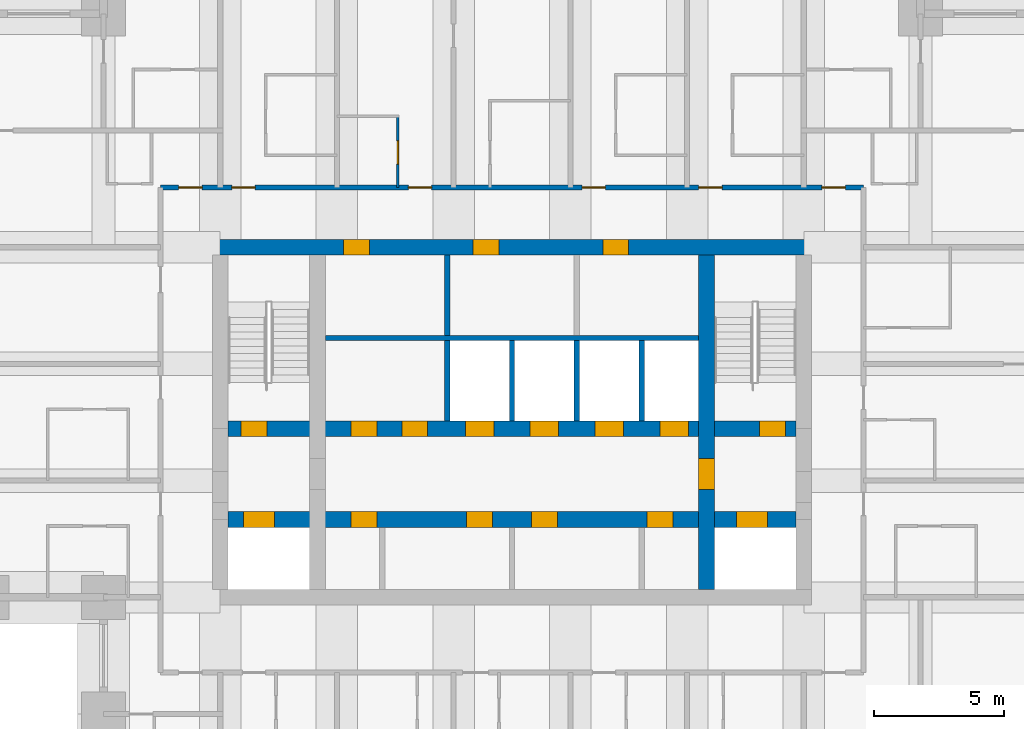
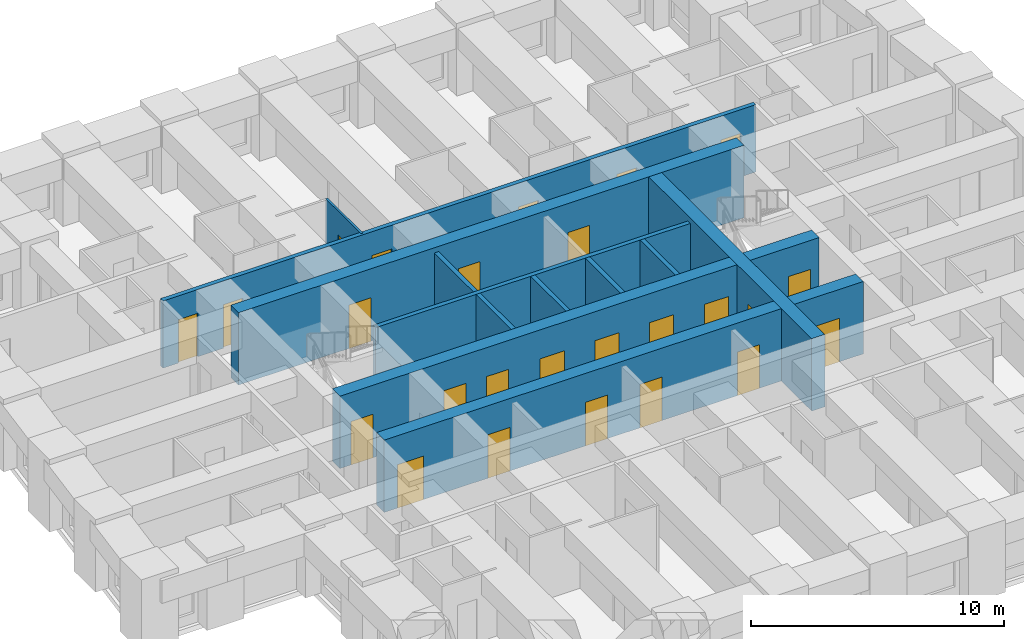
# One storey, part 4 of 8: 25 doors, 12 walls, 25 openings.
"""IFC4 building model written with IfcOpenShell, lengths in metres."""

from ifc_helpers import new_model, si_unit, direction, frame, frame_2d, origin, place, context, subcontext, project, spatial, rectangle, extrude, material, layer, layer_set, type_object, element, fill, save


model = new_model("IFC4")

# Units and contexts
model_context = context("Model", 3, precision=1e-05, world=origin(), true_north=direction((0.0, 1.0)))
body_context = subcontext(model_context, "Body", "Model", "MODEL_VIEW")
ifc_project = project(units=[si_unit("LENGTHUNIT", "METRE"), si_unit("AREAUNIT", "SQUARE_METRE"), si_unit("VOLUMEUNIT", "CUBIC_METRE"), si_unit("PLANEANGLEUNIT", "RADIAN"), si_unit("MASSUNIT", "GRAM", prefix="KILO")], contexts=[model_context])

# Site, building, storey
site_placement = place(None, origin())
site = spatial("IfcSite", under=ifc_project, at=site_placement, CompositionType="ELEMENT")
building_placement = place(site_placement, origin())
building = spatial("IfcBuilding", under=site, at=building_placement, Name="Kilele Tower Hotel", CompositionType="ELEMENT")
storey_placement = place(building_placement, frame((0.0, 0.0, 165.89990234375)))
storey = spatial("IfcBuildingStorey", under=building, at=storey_placement, Name="L42", CompositionType="ELEMENT", Elevation=165.89990234375)

# Wall, opening, door
ifc_material_1 = material(Name="Moisture-resistant board")
ifc_layer_1 = layer(ifc_material_1, 0.10009765625)
ifc_layer_set_1 = layer_set([ifc_layer_1], Name="Moisture-resistant board")
wall_type_1 = type_object("IfcWallType", Name="Bathroom partition 100", PredefinedType="PLUMBINGWALL", material=ifc_layer_set_1)
wall_1_placement = place(storey_placement, frame((20.35009765625, 29.300048828125, 0.0), z_axis=(0.0, 0.0, 1.0), x_axis=(0.0, 1.0, 0.0)))
wall_1 = element("IfcWall", 1, at=wall_1_placement, inside=storey, type_object=wall_type_1, Name="Bathroom partition 100 L42", PredefinedType="PLUMBINGWALL", context=body_context, shape_type="SweptSolid", body=[
    extrude(rectangle(XDim=2.800048828125, YDim=0.10009765625, at=frame_2d((1.39990234375, 0.0))), origin(), (0.0, 0.0, 1.0), 3.25),
])
opening_1_placement = place(wall_1_placement, frame((1.7998046875, 0.0, 0.0), z_axis=(0.0, 0.0, 1.0), x_axis=(-1.0, 0.0, 0.0)))
opening_1 = element("IfcOpeningElement", 2, at=opening_1_placement, cuts=wall_1, Name="Opening D2A", PredefinedType="OPENING", context=body_context, shape_type="SweptSolid", body=[
    extrude(rectangle(XDim=0.89990234375, YDim=2.10009765625, at=frame_2d((0.449951171875, 1.050048828125))), frame((0.0, 0.06005859375, 0.0), z_axis=(0.0, -1.0, 0.0), x_axis=(1.0, 0.0, 0.0)), (0.0, 0.0, 1.0), 0.1201171875),
])
ifc_material_2 = material(Name="Timber door leaf in hardwood frame", Category="wood")
door_type_1 = type_object("IfcDoorType", Name="Bathroom door 900", OperationType="SINGLE_SWING_LEFT", PredefinedType="DOOR", material=ifc_material_2)
door_1_placement = place(opening_1_placement, origin())
door_1 = element("IfcDoor", 3, at=door_1_placement, inside=storey, type_object=door_type_1, Name="Bathroom door 4210B", OperationType="SINGLE_SWING_RIGHT", OverallHeight=2.10009765625, OverallWidth=0.89990234375, PredefinedType="DOOR", context=body_context, shape_type="SweptSolid", body=[
    extrude(rectangle(XDim=0.89990234375, YDim=2.10009765625, at=frame_2d((0.449951171875, 1.050048828125))), frame((0.0, 0.02490234375, 0.0), z_axis=(0.0, -1.0, 0.0), x_axis=(1.0, 0.0, 0.0)), (0.0, 0.0, 1.0), 0.050048828125),
])
fill(opening_1, door_1)

# Wall, openings, doors
ifc_material_3 = material(Name="Concrete C70/85", Category="concrete")
ifc_layer_2 = layer(ifc_material_3, 0.60009765625)
ifc_layer_set_2 = layer_set([ifc_layer_2], Name="Concrete C70/85")
wall_type_2 = type_object("IfcWallType", Name="Core wall 600 C70/85", PredefinedType="SHEAR", material=ifc_layer_set_2)
wall_2_placement = place(storey_placement, frame((36.300048828125, 27.0, 0.0), z_axis=(0.0, 0.0, 1.0), x_axis=(-1.0, 0.0, 0.0)))
wall_2 = element("IfcWall", 4, at=wall_2_placement, inside=storey, type_object=wall_type_2, Name="Core wall N L42", PredefinedType="SHEAR", context=body_context, shape_type="SweptSolid", body=[
    extrude(rectangle(XDim=23.10009765625, YDim=0.60009765625, at=frame_2d((11.550048828125, 0.0))), origin(), (0.0, 0.0, 1.0), 3.5),
])
opening_2_placement = place(wall_2_placement, frame((17.050048828125, 0.0, 0.0)))
opening_2 = element("IfcOpeningElement", 5, at=opening_2_placement, cuts=wall_2, Name="Opening D6", PredefinedType="OPENING", context=body_context, shape_type="SweptSolid", body=[
    extrude(rectangle(XDim=1.0, YDim=2.10009765625, at=frame_2d((0.5, 1.050048828125))), frame((0.0, 0.31005859375, 0.0), z_axis=(0.0, -1.0, 0.0), x_axis=(1.0, 0.0, 0.0)), (0.0, 0.0, 1.0), 0.6201171875),
])
opening_3_placement = place(wall_2_placement, frame((12.050048828125, 0.0, 0.0)))
opening_3 = element("IfcOpeningElement", 6, at=opening_3_placement, cuts=wall_2, Name="Opening D6", PredefinedType="OPENING", context=body_context, shape_type="SweptSolid", body=[
    extrude(rectangle(XDim=1.0, YDim=2.10009765625, at=frame_2d((0.5, 1.050048828125))), frame((0.0, 0.31005859375, 0.0), z_axis=(0.0, -1.0, 0.0), x_axis=(1.0, 0.0, 0.0)), (0.0, 0.0, 1.0), 0.6201171875),
])
opening_4_placement = place(wall_2_placement, frame((7.050048828125, 0.0, 0.0)))
opening_4 = element("IfcOpeningElement", 7, at=opening_4_placement, cuts=wall_2, Name="Opening D6", PredefinedType="OPENING", context=body_context, shape_type="SweptSolid", body=[
    extrude(rectangle(XDim=1.0, YDim=2.10009765625, at=frame_2d((0.5, 1.050048828125))), frame((0.0, 0.31005859375, 0.0), z_axis=(0.0, -1.0, 0.0), x_axis=(1.0, 0.0, 0.0)), (0.0, 0.0, 1.0), 0.6201171875),
])
ifc_material_4 = material(Name="Timber door leaf in hardwood frame", Category="wood")
door_type_2 = type_object("IfcDoorType", Name="Riser door 1000", OperationType="SINGLE_SWING_LEFT", PredefinedType="DOOR", material=ifc_material_4)
door_2_placement = place(opening_2_placement, origin())
door_2 = element("IfcDoor", 8, at=door_2_placement, inside=storey, type_object=door_type_2, Name="Service riser door L42", OperationType="SINGLE_SWING_RIGHT", OverallHeight=2.10009765625, OverallWidth=1.0, PredefinedType="DOOR", context=body_context, shape_type="SweptSolid", body=[
    extrude(rectangle(XDim=1.0, YDim=2.10009765625, at=frame_2d((0.5, 1.050048828125))), frame((0.0, 0.2998046875, 0.0), z_axis=(0.0, -1.0, 0.0), x_axis=(1.0, 0.0, 0.0)), (0.0, 0.0, 1.0), 0.599609375),
])
fill(opening_2, door_2)
door_3_placement = place(opening_3_placement, origin())
door_3 = element("IfcDoor", 9, at=door_3_placement, inside=storey, type_object=door_type_2, Name="Staff WC door L42", OperationType="SINGLE_SWING_RIGHT", OverallHeight=2.10009765625, OverallWidth=1.0, PredefinedType="DOOR", context=body_context, shape_type="SweptSolid", body=[
    extrude(rectangle(XDim=1.0, YDim=2.10009765625, at=frame_2d((0.5, 1.050048828125))), frame((0.0, 0.2998046875, 0.0), z_axis=(0.0, -1.0, 0.0), x_axis=(1.0, 0.0, 0.0)), (0.0, 0.0, 1.0), 0.599609375),
])
fill(opening_3, door_3)
door_4_placement = place(opening_4_placement, origin())
door_4 = element("IfcDoor", 10, at=door_4_placement, inside=storey, type_object=door_type_2, Name="Electrical riser door L42", OperationType="SINGLE_SWING_RIGHT", OverallHeight=2.10009765625, OverallWidth=1.0, PredefinedType="DOOR", context=body_context, shape_type="SweptSolid", body=[
    extrude(rectangle(XDim=1.0, YDim=2.10009765625, at=frame_2d((0.5, 1.050048828125))), frame((0.0, 0.2998046875, 0.0), z_axis=(0.0, -1.0, 0.0), x_axis=(1.0, 0.0, 0.0)), (0.0, 0.0, 1.0), 0.599609375),
])
fill(opening_4, door_4)

# Wall, opening, door
wall_3_placement = place(storey_placement, frame((32.25, 13.800048828125, 0.0), z_axis=(0.0, 0.0, 1.0), x_axis=(0.0, 1.0, 0.0)))
wall_3 = element("IfcWall", 11, at=wall_3_placement, inside=storey, type_object=wall_type_2, Name="Core wall IE L42", PredefinedType="SHEAR", context=body_context, shape_type="SweptSolid", body=[
    extrude(rectangle(XDim=12.89990234375, YDim=0.60009765625, at=frame_2d((6.449951171875, 0.0))), origin(), (0.0, 0.0, 1.0), 3.5),
])
opening_5_placement = place(wall_3_placement, frame((5.050048828125, 0.0, 0.0), z_axis=(0.0, 0.0, 1.0), x_axis=(-1.0, 0.0, 0.0)))
opening_5 = element("IfcOpeningElement", 12, at=opening_5_placement, cuts=wall_3, Name="Opening D4", PredefinedType="OPENING", context=body_context, shape_type="SweptSolid", body=[
    extrude(rectangle(XDim=1.199951171875, YDim=2.10009765625, at=frame_2d((0.60009765625, 1.050048828125))), frame((0.0, 0.31005859375, 0.0), z_axis=(0.0, -1.0, 0.0), x_axis=(1.0, 0.0, 0.0)), (0.0, 0.0, 1.0), 0.6201171875),
])
ifc_material_5 = material(Name="Timber door leaf in hardwood frame", Category="wood")
door_type_3 = type_object("IfcDoorType", Name="Firefighting lobby door 1200", OperationType="SINGLE_SWING_LEFT", PredefinedType="DOOR", material=ifc_material_5)
door_5_placement = place(opening_5_placement, origin())
door_5 = element("IfcDoor", 13, at=door_5_placement, inside=storey, type_object=door_type_3, Name="Lobby door L42", OperationType="SINGLE_SWING_RIGHT", OverallHeight=2.10009765625, OverallWidth=1.199951171875, PredefinedType="DOOR", context=body_context, shape_type="SweptSolid", body=[
    extrude(rectangle(XDim=1.199951171875, YDim=2.10009765625, at=frame_2d((0.60009765625, 1.050048828125))), frame((0.0, 0.2998046875, 0.0), z_axis=(0.0, -1.0, 0.0), x_axis=(1.0, 0.0, 0.0)), (0.0, 0.0, 1.0), 0.599609375),
])
fill(opening_5, door_5)

# Wall, openings, doors
wall_4_placement = place(storey_placement, frame((13.800048828125, 16.5, 0.0), z_axis=(0.0, 0.0, 1.0), x_axis=(1.0, 0.0, 0.0)))
wall_4 = element("IfcWall", 14, at=wall_4_placement, inside=storey, type_object=wall_type_2, Name="Core wall LS L42", PredefinedType="SHEAR", context=body_context, shape_type="SweptSolid", body=[
    extrude(rectangle(XDim=21.89990234375, YDim=0.60009765625, at=frame_2d((10.949951171875, 0.0))), origin(), (0.0, 0.0, 1.0), 3.5),
])
opening_6_placement = place(wall_4_placement, frame((5.75, 0.0, 0.0), z_axis=(0.0, 0.0, 1.0), x_axis=(-1.0, 0.0, 0.0)))
opening_6 = element("IfcOpeningElement", 15, at=opening_6_placement, cuts=wall_4, Name="Opening D11", PredefinedType="OPENING", context=body_context, shape_type="SweptSolid", body=[
    extrude(rectangle(XDim=1.0, YDim=2.10009765625, at=frame_2d((0.5, 1.050048828125))), frame((0.0, 0.31005859375, 0.0), z_axis=(0.0, -1.0, 0.0), x_axis=(1.0, 0.0, 0.0)), (0.0, 0.0, 1.0), 0.6201171875),
])
opening_7_placement = place(wall_4_placement, frame((10.199951171875, 0.0, 0.0), z_axis=(0.0, 0.0, 1.0), x_axis=(-1.0, 0.0, 0.0)))
opening_7 = element("IfcOpeningElement", 16, at=opening_7_placement, cuts=wall_4, Name="Opening D11", PredefinedType="OPENING", context=body_context, shape_type="SweptSolid", body=[
    extrude(rectangle(XDim=1.0, YDim=2.10009765625, at=frame_2d((0.5, 1.050048828125))), frame((0.0, 0.31005859375, 0.0), z_axis=(0.0, -1.0, 0.0), x_axis=(1.0, 0.0, 0.0)), (0.0, 0.0, 1.0), 0.6201171875),
])
opening_8_placement = place(wall_4_placement, frame((12.699951171875, 0.0, 0.0), z_axis=(0.0, 0.0, 1.0), x_axis=(-1.0, 0.0, 0.0)))
opening_8 = element("IfcOpeningElement", 17, at=opening_8_placement, cuts=wall_4, Name="Opening D11", PredefinedType="OPENING", context=body_context, shape_type="SweptSolid", body=[
    extrude(rectangle(XDim=1.0, YDim=2.10009765625, at=frame_2d((0.5, 1.050048828125))), frame((0.0, 0.31005859375, 0.0), z_axis=(0.0, -1.0, 0.0), x_axis=(1.0, 0.0, 0.0)), (0.0, 0.0, 1.0), 0.6201171875),
])
opening_9_placement = place(wall_4_placement, frame((17.14990234375, 0.0, 0.0), z_axis=(0.0, 0.0, 1.0), x_axis=(-1.0, 0.0, 0.0)))
opening_9 = element("IfcOpeningElement", 18, at=opening_9_placement, cuts=wall_4, Name="Opening D11", PredefinedType="OPENING", context=body_context, shape_type="SweptSolid", body=[
    extrude(rectangle(XDim=1.0, YDim=2.10009765625, at=frame_2d((0.5, 1.050048828125))), frame((0.0, 0.31005859375, 0.0), z_axis=(0.0, -1.0, 0.0), x_axis=(1.0, 0.0, 0.0)), (0.0, 0.0, 1.0), 0.6201171875),
])
opening_10_placement = place(wall_4_placement, frame((0.60009765625, 0.0, 0.0)))
opening_10 = element("IfcOpeningElement", 19, at=opening_10_placement, cuts=wall_4, Name="Opening LD2", PredefinedType="OPENING", context=body_context, shape_type="SweptSolid", body=[
    extrude(rectangle(XDim=1.199951171875, YDim=2.10009765625, at=frame_2d((0.60009765625, 1.050048828125))), frame((0.0, 0.31005859375, 0.0), z_axis=(0.0, -1.0, 0.0), x_axis=(1.0, 0.0, 0.0)), (0.0, 0.0, 1.0), 0.6201171875),
])
opening_11_placement = place(wall_4_placement, frame((19.60009765625, 0.0, 0.0)))
opening_11 = element("IfcOpeningElement", 20, at=opening_11_placement, cuts=wall_4, Name="Opening LD2", PredefinedType="OPENING", context=body_context, shape_type="SweptSolid", body=[
    extrude(rectangle(XDim=1.199951171875, YDim=2.10009765625, at=frame_2d((0.60009765625, 1.050048828125))), frame((0.0, 0.31005859375, 0.0), z_axis=(0.0, -1.0, 0.0), x_axis=(1.0, 0.0, 0.0)), (0.0, 0.0, 1.0), 0.6201171875),
])
ifc_material_6 = material(Name="Timber door leaf in hardwood frame", Category="wood")
door_type_4 = type_object("IfcDoorType", Name="Core store door 1000", OperationType="SINGLE_SWING_LEFT", PredefinedType="DOOR", material=ifc_material_6)
door_6_placement = place(opening_6_placement, origin())
door_6 = element("IfcDoor", 21, at=door_6_placement, inside=storey, type_object=door_type_4, Name="Core room door L1 L42", OperationType="SINGLE_SWING_LEFT", OverallHeight=2.10009765625, OverallWidth=1.0, PredefinedType="DOOR", context=body_context, shape_type="SweptSolid", body=[
    extrude(rectangle(XDim=1.0, YDim=2.10009765625, at=frame_2d((0.5, 1.050048828125))), frame((0.0, 0.2998046875, 0.0), z_axis=(0.0, -1.0, 0.0), x_axis=(1.0, 0.0, 0.0)), (0.0, 0.0, 1.0), 0.599609375),
])
fill(opening_6, door_6)
door_7_placement = place(opening_7_placement, origin())
door_7 = element("IfcDoor", 22, at=door_7_placement, inside=storey, type_object=door_type_4, Name="Core room door L3 L42", OperationType="SINGLE_SWING_LEFT", OverallHeight=2.10009765625, OverallWidth=1.0, PredefinedType="DOOR", context=body_context, shape_type="SweptSolid", body=[
    extrude(rectangle(XDim=1.0, YDim=2.10009765625, at=frame_2d((0.5, 1.050048828125))), frame((0.0, 0.2998046875, 0.0), z_axis=(0.0, -1.0, 0.0), x_axis=(1.0, 0.0, 0.0)), (0.0, 0.0, 1.0), 0.599609375),
])
fill(opening_7, door_7)
door_8_placement = place(opening_8_placement, origin())
door_8 = element("IfcDoor", 23, at=door_8_placement, inside=storey, type_object=door_type_4, Name="Core room door M1 L42", OperationType="SINGLE_SWING_RIGHT", OverallHeight=2.10009765625, OverallWidth=1.0, PredefinedType="DOOR", context=body_context, shape_type="SweptSolid", body=[
    extrude(rectangle(XDim=1.0, YDim=2.10009765625, at=frame_2d((0.5, 1.050048828125))), frame((0.0, 0.2998046875, 0.0), z_axis=(0.0, -1.0, 0.0), x_axis=(1.0, 0.0, 0.0)), (0.0, 0.0, 1.0), 0.599609375),
])
fill(opening_8, door_8)
door_9_placement = place(opening_9_placement, origin())
door_9 = element("IfcDoor", 24, at=door_9_placement, inside=storey, type_object=door_type_4, Name="Core room door M3 L42", OperationType="SINGLE_SWING_RIGHT", OverallHeight=2.10009765625, OverallWidth=1.0, PredefinedType="DOOR", context=body_context, shape_type="SweptSolid", body=[
    extrude(rectangle(XDim=1.0, YDim=2.10009765625, at=frame_2d((0.5, 1.050048828125))), frame((0.0, 0.2998046875, 0.0), z_axis=(0.0, -1.0, 0.0), x_axis=(1.0, 0.0, 0.0)), (0.0, 0.0, 1.0), 0.599609375),
])
fill(opening_9, door_9)
ifc_material_7 = material(Name="Steel lift landing door", Category="steel")
door_type_5 = type_object("IfcDoorType", Name="Firefighting lift landing door 1200", OperationType="SLIDING_TO_LEFT", PredefinedType="DOOR", material=ifc_material_7)
door_10_placement = place(opening_10_placement, origin())
door_10 = element("IfcDoor", 25, at=door_10_placement, inside=storey, type_object=door_type_5, Name="Landing door FFW L42", OperationType="SLIDING_TO_LEFT", OverallHeight=2.10009765625, OverallWidth=1.199951171875, PredefinedType="DOOR", context=body_context, shape_type="SweptSolid", body=[
    extrude(rectangle(XDim=1.199951171875, YDim=2.10009765625, at=frame_2d((0.60009765625, 1.050048828125))), frame((0.0, 0.2998046875, 0.0), z_axis=(0.0, -1.0, 0.0), x_axis=(1.0, 0.0, 0.0)), (0.0, 0.0, 1.0), 0.599609375),
])
fill(opening_10, door_10)
door_11_placement = place(opening_11_placement, origin())
door_11 = element("IfcDoor", 26, at=door_11_placement, inside=storey, type_object=door_type_5, Name="Landing door FFE L42", OperationType="SLIDING_TO_LEFT", OverallHeight=2.10009765625, OverallWidth=1.199951171875, PredefinedType="DOOR", context=body_context, shape_type="SweptSolid", body=[
    extrude(rectangle(XDim=1.199951171875, YDim=2.10009765625, at=frame_2d((0.60009765625, 1.050048828125))), frame((0.0, 0.2998046875, 0.0), z_axis=(0.0, -1.0, 0.0), x_axis=(1.0, 0.0, 0.0)), (0.0, 0.0, 1.0), 0.599609375),
])
fill(opening_11, door_11)

wall_5_placement = place(storey_placement, frame((13.800048828125, 20.0, 0.0), z_axis=(0.0, 0.0, 1.0), x_axis=(1.0, 0.0, 0.0)))
wall_5 = element("IfcWall", 27, at=wall_5_placement, inside=storey, type_object=wall_type_2, Name="Core wall LN L42", PredefinedType="SHEAR", context=body_context, shape_type="SweptSolid", body=[
    extrude(rectangle(XDim=21.89990234375, YDim=0.60009765625, at=frame_2d((10.949951171875, 0.0))), origin(), (0.0, 0.0, 1.0), 3.5),
])
opening_12_placement = place(wall_5_placement, frame((0.5, 0.0, 0.0)))
opening_12 = element("IfcOpeningElement", 28, at=opening_12_placement, cuts=wall_5, Name="Opening D5", PredefinedType="OPENING", context=body_context, shape_type="SweptSolid", body=[
    extrude(rectangle(XDim=1.0, YDim=2.10009765625, at=frame_2d((0.5, 1.050048828125))), frame((0.0, 0.31005859375, 0.0), z_axis=(0.0, -1.0, 0.0), x_axis=(1.0, 0.0, 0.0)), (0.0, 0.0, 1.0), 0.6201171875),
])
opening_13_placement = place(wall_5_placement, frame((20.5, 0.0, 0.0)))
opening_13 = element("IfcOpeningElement", 29, at=opening_13_placement, cuts=wall_5, Name="Opening D5", PredefinedType="OPENING", context=body_context, shape_type="SweptSolid", body=[
    extrude(rectangle(XDim=1.0, YDim=2.10009765625, at=frame_2d((0.5, 1.050048828125))), frame((0.0, 0.31005859375, 0.0), z_axis=(0.0, -1.0, 0.0), x_axis=(1.0, 0.0, 0.0)), (0.0, 0.0, 1.0), 0.6201171875),
])
opening_14_placement = place(wall_5_placement, frame((9.14990234375, 0.0, 0.0)))
opening_14 = element("IfcOpeningElement", 30, at=opening_14_placement, cuts=wall_5, Name="Opening LD1", PredefinedType="OPENING", context=body_context, shape_type="SweptSolid", body=[
    extrude(rectangle(XDim=1.10009765625, YDim=2.10009765625, at=frame_2d((0.550048828125, 1.050048828125))), frame((0.0, 0.31005859375, 0.0), z_axis=(0.0, -1.0, 0.0), x_axis=(1.0, 0.0, 0.0)), (0.0, 0.0, 1.0), 0.6201171875),
])
opening_15_placement = place(wall_5_placement, frame((11.64990234375, 0.0, 0.0)))
opening_15 = element("IfcOpeningElement", 31, at=opening_15_placement, cuts=wall_5, Name="Opening LD1", PredefinedType="OPENING", context=body_context, shape_type="SweptSolid", body=[
    extrude(rectangle(XDim=1.10009765625, YDim=2.10009765625, at=frame_2d((0.550048828125, 1.050048828125))), frame((0.0, 0.31005859375, 0.0), z_axis=(0.0, -1.0, 0.0), x_axis=(1.0, 0.0, 0.0)), (0.0, 0.0, 1.0), 0.6201171875),
])
opening_16_placement = place(wall_5_placement, frame((14.14990234375, 0.0, 0.0)))
opening_16 = element("IfcOpeningElement", 32, at=opening_16_placement, cuts=wall_5, Name="Opening LD1", PredefinedType="OPENING", context=body_context, shape_type="SweptSolid", body=[
    extrude(rectangle(XDim=1.10009765625, YDim=2.10009765625, at=frame_2d((0.550048828125, 1.050048828125))), frame((0.0, 0.31005859375, 0.0), z_axis=(0.0, -1.0, 0.0), x_axis=(1.0, 0.0, 0.0)), (0.0, 0.0, 1.0), 0.6201171875),
])
opening_17_placement = place(wall_5_placement, frame((16.64990234375, 0.0, 0.0)))
opening_17 = element("IfcOpeningElement", 33, at=opening_17_placement, cuts=wall_5, Name="Opening LD1", PredefinedType="OPENING", context=body_context, shape_type="SweptSolid", body=[
    extrude(rectangle(XDim=1.10009765625, YDim=2.10009765625, at=frame_2d((0.550048828125, 1.050048828125))), frame((0.0, 0.31005859375, 0.0), z_axis=(0.0, -1.0, 0.0), x_axis=(1.0, 0.0, 0.0)), (0.0, 0.0, 1.0), 0.6201171875),
])
opening_18_placement = place(wall_5_placement, frame((4.75, 0.0, 0.0)))
opening_18 = element("IfcOpeningElement", 34, at=opening_18_placement, cuts=wall_5, Name="Opening D11", PredefinedType="OPENING", context=body_context, shape_type="SweptSolid", body=[
    extrude(rectangle(XDim=1.0, YDim=2.10009765625, at=frame_2d((0.5, 1.050048828125))), frame((0.0, 0.31005859375, 0.0), z_axis=(0.0, -1.0, 0.0), x_axis=(1.0, 0.0, 0.0)), (0.0, 0.0, 1.0), 0.6201171875),
])
opening_19_placement = place(wall_5_placement, frame((6.699951171875, 0.0, 0.0)))
opening_19 = element("IfcOpeningElement", 35, at=opening_19_placement, cuts=wall_5, Name="Opening D11", PredefinedType="OPENING", context=body_context, shape_type="SweptSolid", body=[
    extrude(rectangle(XDim=1.0, YDim=2.10009765625, at=frame_2d((0.5, 1.050048828125))), frame((0.0, 0.31005859375, 0.0), z_axis=(0.0, -1.0, 0.0), x_axis=(1.0, 0.0, 0.0)), (0.0, 0.0, 1.0), 0.6201171875),
])
door_12_placement = place(opening_18_placement, origin())
door_12 = element("IfcDoor", 36, at=door_12_placement, inside=storey, type_object=door_type_4, Name="Core room door S1 L42", OperationType="SINGLE_SWING_LEFT", OverallHeight=2.10009765625, OverallWidth=1.0, PredefinedType="DOOR", context=body_context, shape_type="SweptSolid", body=[
    extrude(rectangle(XDim=1.0, YDim=2.10009765625, at=frame_2d((0.5, 1.050048828125))), frame((0.0, 0.2998046875, 0.0), z_axis=(0.0, -1.0, 0.0), x_axis=(1.0, 0.0, 0.0)), (0.0, 0.0, 1.0), 0.599609375),
])
fill(opening_18, door_12)
door_13_placement = place(opening_19_placement, origin())
door_13 = element("IfcDoor", 37, at=door_13_placement, inside=storey, type_object=door_type_4, Name="Core room door S2 L42", OperationType="SINGLE_SWING_RIGHT", OverallHeight=2.10009765625, OverallWidth=1.0, PredefinedType="DOOR", context=body_context, shape_type="SweptSolid", body=[
    extrude(rectangle(XDim=1.0, YDim=2.10009765625, at=frame_2d((0.5, 1.050048828125))), frame((0.0, 0.2998046875, 0.0), z_axis=(0.0, -1.0, 0.0), x_axis=(1.0, 0.0, 0.0)), (0.0, 0.0, 1.0), 0.599609375),
])
fill(opening_19, door_13)
ifc_material_8 = material(Name="Steel lift landing door", Category="steel")
door_type_6 = type_object("IfcDoorType", Name="Lift landing door 1100", OperationType="SLIDING_TO_LEFT", PredefinedType="DOOR", material=ifc_material_8)
door_14_placement = place(opening_14_placement, origin())
door_14 = element("IfcDoor", 38, at=door_14_placement, inside=storey, type_object=door_type_6, Name="Landing door H1 L42", OperationType="SLIDING_TO_LEFT", OverallHeight=2.10009765625, OverallWidth=1.10009765625, PredefinedType="DOOR", context=body_context, shape_type="SweptSolid", body=[
    extrude(rectangle(XDim=1.10009765625, YDim=2.10009765625, at=frame_2d((0.550048828125, 1.050048828125))), frame((0.0, 0.2998046875, 0.0), z_axis=(0.0, -1.0, 0.0), x_axis=(1.0, 0.0, 0.0)), (0.0, 0.0, 1.0), 0.599609375),
])
fill(opening_14, door_14)
door_15_placement = place(opening_15_placement, origin())
door_15 = element("IfcDoor", 39, at=door_15_placement, inside=storey, type_object=door_type_6, Name="Landing door H2 L42", OperationType="SLIDING_TO_LEFT", OverallHeight=2.10009765625, OverallWidth=1.10009765625, PredefinedType="DOOR", context=body_context, shape_type="SweptSolid", body=[
    extrude(rectangle(XDim=1.10009765625, YDim=2.10009765625, at=frame_2d((0.550048828125, 1.050048828125))), frame((0.0, 0.2998046875, 0.0), z_axis=(0.0, -1.0, 0.0), x_axis=(1.0, 0.0, 0.0)), (0.0, 0.0, 1.0), 0.599609375),
])
fill(opening_15, door_15)
door_16_placement = place(opening_16_placement, origin())
door_16 = element("IfcDoor", 40, at=door_16_placement, inside=storey, type_object=door_type_6, Name="Landing door H3 L42", OperationType="SLIDING_TO_LEFT", OverallHeight=2.10009765625, OverallWidth=1.10009765625, PredefinedType="DOOR", context=body_context, shape_type="SweptSolid", body=[
    extrude(rectangle(XDim=1.10009765625, YDim=2.10009765625, at=frame_2d((0.550048828125, 1.050048828125))), frame((0.0, 0.2998046875, 0.0), z_axis=(0.0, -1.0, 0.0), x_axis=(1.0, 0.0, 0.0)), (0.0, 0.0, 1.0), 0.599609375),
])
fill(opening_16, door_16)
door_17_placement = place(opening_17_placement, origin())
door_17 = element("IfcDoor", 41, at=door_17_placement, inside=storey, type_object=door_type_6, Name="Landing door G1 L42", OperationType="SLIDING_TO_LEFT", OverallHeight=2.10009765625, OverallWidth=1.10009765625, PredefinedType="DOOR", context=body_context, shape_type="SweptSolid", body=[
    extrude(rectangle(XDim=1.10009765625, YDim=2.10009765625, at=frame_2d((0.550048828125, 1.050048828125))), frame((0.0, 0.2998046875, 0.0), z_axis=(0.0, -1.0, 0.0), x_axis=(1.0, 0.0, 0.0)), (0.0, 0.0, 1.0), 0.599609375),
])
fill(opening_17, door_17)
ifc_material_9 = material(Name="Timber door leaf in hardwood frame", Category="wood")
door_type_7 = type_object("IfcDoorType", Name="Stair door 1000", OperationType="SINGLE_SWING_LEFT", PredefinedType="DOOR", material=ifc_material_9)
door_18_placement = place(opening_12_placement, origin())
door_18 = element("IfcDoor", 42, at=door_18_placement, inside=storey, type_object=door_type_7, Name="Stair 1 door L42", OperationType="SINGLE_SWING_LEFT", OverallHeight=2.10009765625, OverallWidth=1.0, PredefinedType="DOOR", context=body_context, shape_type="SweptSolid", body=[
    extrude(rectangle(XDim=1.0, YDim=2.10009765625, at=frame_2d((0.5, 1.050048828125))), frame((0.0, 0.2998046875, 0.0), z_axis=(0.0, -1.0, 0.0), x_axis=(1.0, 0.0, 0.0)), (0.0, 0.0, 1.0), 0.599609375),
])
fill(opening_12, door_18)
door_19_placement = place(opening_13_placement, origin())
door_19 = element("IfcDoor", 43, at=door_19_placement, inside=storey, type_object=door_type_7, Name="Stair 2 door L42", OperationType="SINGLE_SWING_RIGHT", OverallHeight=2.10009765625, OverallWidth=1.0, PredefinedType="DOOR", context=body_context, shape_type="SweptSolid", body=[
    extrude(rectangle(XDim=1.0, YDim=2.10009765625, at=frame_2d((0.5, 1.050048828125))), frame((0.0, 0.2998046875, 0.0), z_axis=(0.0, -1.0, 0.0), x_axis=(1.0, 0.0, 0.0)), (0.0, 0.0, 1.0), 0.599609375),
])
fill(opening_13, door_19)

ifc_material_10 = material(Name="Blockwork, plastered both sides", Category="masonry")
ifc_layer_3 = layer(ifc_material_10, 0.199951171875)
ifc_layer_set_3 = layer_set([ifc_layer_3], Name="Blockwork, plastered both sides")
wall_type_3 = type_object("IfcWallType", Name="Corridor wall 200", PredefinedType="PARTITIONING", material=ifc_layer_set_3)
wall_6_placement = place(storey_placement, frame((11.199951171875, 29.300048828125, 0.0), z_axis=(0.0, 0.0, 1.0), x_axis=(1.0, 0.0, 0.0)))
wall_6 = element("IfcWall", 44, at=wall_6_placement, inside=storey, type_object=wall_type_3, Name="Corridor wall 200 L42", PredefinedType="PARTITIONING", context=body_context, shape_type="SweptSolid", body=[
    extrude(rectangle(XDim=27.10009765625, YDim=0.199951171875, at=frame_2d((13.550048828125, 0.0))), origin(), (0.0, 0.0, 1.0), 3.25),
])
opening_20_placement = place(wall_6_placement, frame((2.75, 0.0, 0.0)))
opening_20 = element("IfcOpeningElement", 45, at=opening_20_placement, cuts=wall_6, Name="Opening D1", PredefinedType="OPENING", context=body_context, shape_type="SweptSolid", body=[
    extrude(rectangle(XDim=0.89990234375, YDim=2.10009765625, at=frame_2d((0.449951171875, 1.050048828125))), frame((0.0, 0.10986328125, 0.0), z_axis=(0.0, -1.0, 0.0), x_axis=(1.0, 0.0, 0.0)), (0.0, 0.0, 1.0), 0.219970703125),
])
opening_21_placement = place(wall_6_placement, frame((9.550048828125, 0.0, 0.0)))
opening_21 = element("IfcOpeningElement", 46, at=opening_21_placement, cuts=wall_6, Name="Opening D1", PredefinedType="OPENING", context=body_context, shape_type="SweptSolid", body=[
    extrude(rectangle(XDim=0.89990234375, YDim=2.10009765625, at=frame_2d((0.449951171875, 1.050048828125))), frame((0.0, 0.10986328125, 0.0), z_axis=(0.0, -1.0, 0.0), x_axis=(1.0, 0.0, 0.0)), (0.0, 0.0, 1.0), 0.219970703125),
])
opening_22_placement = place(wall_6_placement, frame((16.25, 0.0, 0.0)))
opening_22 = element("IfcOpeningElement", 47, at=opening_22_placement, cuts=wall_6, Name="Opening D1", PredefinedType="OPENING", context=body_context, shape_type="SweptSolid", body=[
    extrude(rectangle(XDim=0.89990234375, YDim=2.10009765625, at=frame_2d((0.449951171875, 1.050048828125))), frame((0.0, 0.10986328125, 0.0), z_axis=(0.0, -1.0, 0.0), x_axis=(1.0, 0.0, 0.0)), (0.0, 0.0, 1.0), 0.219970703125),
])
opening_23_placement = place(wall_6_placement, frame((20.75, 0.0, 0.0)))
opening_23 = element("IfcOpeningElement", 48, at=opening_23_placement, cuts=wall_6, Name="Opening D1", PredefinedType="OPENING", context=body_context, shape_type="SweptSolid", body=[
    extrude(rectangle(XDim=0.89990234375, YDim=2.10009765625, at=frame_2d((0.449951171875, 1.050048828125))), frame((0.0, 0.10986328125, 0.0), z_axis=(0.0, -1.0, 0.0), x_axis=(1.0, 0.0, 0.0)), (0.0, 0.0, 1.0), 0.219970703125),
])
opening_24_placement = place(wall_6_placement, frame((25.5, 0.0, 0.0)))
opening_24 = element("IfcOpeningElement", 49, at=opening_24_placement, cuts=wall_6, Name="Opening D1", PredefinedType="OPENING", context=body_context, shape_type="SweptSolid", body=[
    extrude(rectangle(XDim=0.89990234375, YDim=2.10009765625, at=frame_2d((0.449951171875, 1.050048828125))), frame((0.0, 0.10986328125, 0.0), z_axis=(0.0, -1.0, 0.0), x_axis=(1.0, 0.0, 0.0)), (0.0, 0.0, 1.0), 0.219970703125),
])
opening_25_placement = place(wall_6_placement, frame((0.699951171875, 0.0, 0.0)))
opening_25 = element("IfcOpeningElement", 50, at=opening_25_placement, cuts=wall_6, Name="Opening D1", PredefinedType="OPENING", context=body_context, shape_type="SweptSolid", body=[
    extrude(rectangle(XDim=0.89990234375, YDim=2.10009765625, at=frame_2d((0.449951171875, 1.050048828125))), frame((0.0, 0.10986328125, 0.0), z_axis=(0.0, -1.0, 0.0), x_axis=(1.0, 0.0, 0.0)), (0.0, 0.0, 1.0), 0.219970703125),
])
ifc_material_11 = material(Name="Timber door leaf in hardwood frame", Category="wood")
door_type_8 = type_object("IfcDoorType", Name="Guest room entrance door 900", OperationType="SINGLE_SWING_LEFT", PredefinedType="DOOR", material=ifc_material_11)
door_20_placement = place(opening_20_placement, origin())
door_20 = element("IfcDoor", 51, at=door_20_placement, inside=storey, type_object=door_type_8, Name="Room entrance 4209", OperationType="SINGLE_SWING_LEFT", OverallHeight=2.10009765625, OverallWidth=0.89990234375, PredefinedType="DOOR", context=body_context, shape_type="SweptSolid", body=[
    extrude(rectangle(XDim=0.89990234375, YDim=2.10009765625, at=frame_2d((0.449951171875, 1.050048828125))), frame((0.0, 0.02490234375, 0.0), z_axis=(0.0, -1.0, 0.0), x_axis=(1.0, 0.0, 0.0)), (0.0, 0.0, 1.0), 0.050048828125),
])
fill(opening_20, door_20)
door_21_placement = place(opening_21_placement, origin())
door_21 = element("IfcDoor", 52, at=door_21_placement, inside=storey, type_object=door_type_8, Name="Room entrance 4210", OperationType="SINGLE_SWING_LEFT", OverallHeight=2.10009765625, OverallWidth=0.89990234375, PredefinedType="DOOR", context=body_context, shape_type="SweptSolid", body=[
    extrude(rectangle(XDim=0.89990234375, YDim=2.10009765625, at=frame_2d((0.449951171875, 1.050048828125))), frame((0.0, 0.02490234375, 0.0), z_axis=(0.0, -1.0, 0.0), x_axis=(1.0, 0.0, 0.0)), (0.0, 0.0, 1.0), 0.050048828125),
])
fill(opening_21, door_21)
door_22_placement = place(opening_22_placement, origin())
door_22 = element("IfcDoor", 53, at=door_22_placement, inside=storey, type_object=door_type_8, Name="Room entrance 4212", OperationType="SINGLE_SWING_LEFT", OverallHeight=2.10009765625, OverallWidth=0.89990234375, PredefinedType="DOOR", context=body_context, shape_type="SweptSolid", body=[
    extrude(rectangle(XDim=0.89990234375, YDim=2.10009765625, at=frame_2d((0.449951171875, 1.050048828125))), frame((0.0, 0.02490234375, 0.0), z_axis=(0.0, -1.0, 0.0), x_axis=(1.0, 0.0, 0.0)), (0.0, 0.0, 1.0), 0.050048828125),
])
fill(opening_22, door_22)
door_23_placement = place(opening_23_placement, origin())
door_23 = element("IfcDoor", 54, at=door_23_placement, inside=storey, type_object=door_type_8, Name="Room entrance 4213", OperationType="SINGLE_SWING_LEFT", OverallHeight=2.10009765625, OverallWidth=0.89990234375, PredefinedType="DOOR", context=body_context, shape_type="SweptSolid", body=[
    extrude(rectangle(XDim=0.89990234375, YDim=2.10009765625, at=frame_2d((0.449951171875, 1.050048828125))), frame((0.0, 0.02490234375, 0.0), z_axis=(0.0, -1.0, 0.0), x_axis=(1.0, 0.0, 0.0)), (0.0, 0.0, 1.0), 0.050048828125),
])
fill(opening_23, door_23)
door_24_placement = place(opening_24_placement, origin())
door_24 = element("IfcDoor", 55, at=door_24_placement, inside=storey, type_object=door_type_8, Name="Room entrance 4222", OperationType="SINGLE_SWING_LEFT", OverallHeight=2.10009765625, OverallWidth=0.89990234375, PredefinedType="DOOR", context=body_context, shape_type="SweptSolid", body=[
    extrude(rectangle(XDim=0.89990234375, YDim=2.10009765625, at=frame_2d((0.449951171875, 1.050048828125))), frame((0.0, 0.02490234375, 0.0), z_axis=(0.0, -1.0, 0.0), x_axis=(1.0, 0.0, 0.0)), (0.0, 0.0, 1.0), 0.050048828125),
])
fill(opening_24, door_24)
door_25_placement = place(opening_25_placement, origin())
door_25 = element("IfcDoor", 56, at=door_25_placement, inside=storey, type_object=door_type_8, Name="Room entrance 4225", OperationType="SINGLE_SWING_RIGHT", OverallHeight=2.10009765625, OverallWidth=0.89990234375, PredefinedType="DOOR", context=body_context, shape_type="SweptSolid", body=[
    extrude(rectangle(XDim=0.89990234375, YDim=2.10009765625, at=frame_2d((0.449951171875, 1.050048828125))), frame((0.0, 0.02490234375, 0.0), z_axis=(0.0, -1.0, 0.0), x_axis=(1.0, 0.0, 0.0)), (0.0, 0.0, 1.0), 0.050048828125),
])
fill(opening_25, door_25)

# Walls
ifc_material_12 = material(Name="Blockwork, fire-rated", Category="masonry")
ifc_layer_4 = layer(ifc_material_12, 0.199951171875)
ifc_layer_set_4 = layer_set([ifc_layer_4], Name="Blockwork, fire-rated")
wall_type_4 = type_object("IfcWallType", Name="Shaft wall 200", PredefinedType="PARTITIONING", material=ifc_layer_set_4)
for number, where, z_axis, x_axis, name in (
    (57, (22.25, 20.300048828125, 0.0), (0.0, 0.0, 1.0), (0.0, 1.0, 0.0), "Shaft wall 200 L42"),
    (58, (24.75, 20.300048828125, 0.0), (0.0, 0.0, 1.0), (0.0, 1.0, 0.0), "Shaft wall 200 L42"),
    (59, (27.25, 20.300048828125, 0.0), (0.0, 0.0, 1.0), (0.0, 1.0, 0.0), "Shaft wall 200 L42"),
    (60, (29.75, 20.300048828125, 0.0), (0.0, 0.0, 1.0), (0.0, 1.0, 0.0), "Shaft wall 200 L42"),
):
    element("IfcWall", number, at=place(storey_placement, frame(where, z_axis=z_axis, x_axis=x_axis)), inside=storey, type_object=wall_type_4, Name=name, PredefinedType="PARTITIONING", context=body_context, shape_type="SweptSolid", body=[
        extrude(rectangle(XDim=3.099853515625, YDim=0.199951171875, at=frame_2d((1.5498046875, 0.0))), origin(), (0.0, 0.0, 1.0), 3.25),
    ])
wall_7_placement = place(storey_placement, frame((17.550048828125, 23.5, 0.0), z_axis=(0.0, 0.0, 1.0), x_axis=(1.0, 0.0, 0.0)))
element("IfcWall", 61, at=wall_7_placement, inside=storey, type_object=wall_type_4, Name="Shaft wall 200 L42", PredefinedType="PARTITIONING", context=body_context, shape_type="SweptSolid", body=[
    extrude(rectangle(XDim=14.39990234375, YDim=0.199951171875, at=frame_2d((7.199951171875, 0.0))), origin(), (0.0, 0.0, 1.0), 3.25),
])
wall_8_placement = place(storey_placement, frame((22.25, 23.60009765625, 0.0), z_axis=(0.0, 0.0, 1.0), x_axis=(0.0, 1.0, 0.0)))
element("IfcWall", 62, at=wall_8_placement, inside=storey, type_object=wall_type_4, Name="Shaft wall 200 L42", PredefinedType="PARTITIONING", context=body_context, shape_type="SweptSolid", body=[
    extrude(rectangle(XDim=3.099853515625, YDim=0.199951171875, at=frame_2d((1.5498046875, 0.0))), origin(), (0.0, 0.0, 1.0), 3.25),
])

save(model, "model.ifc")
